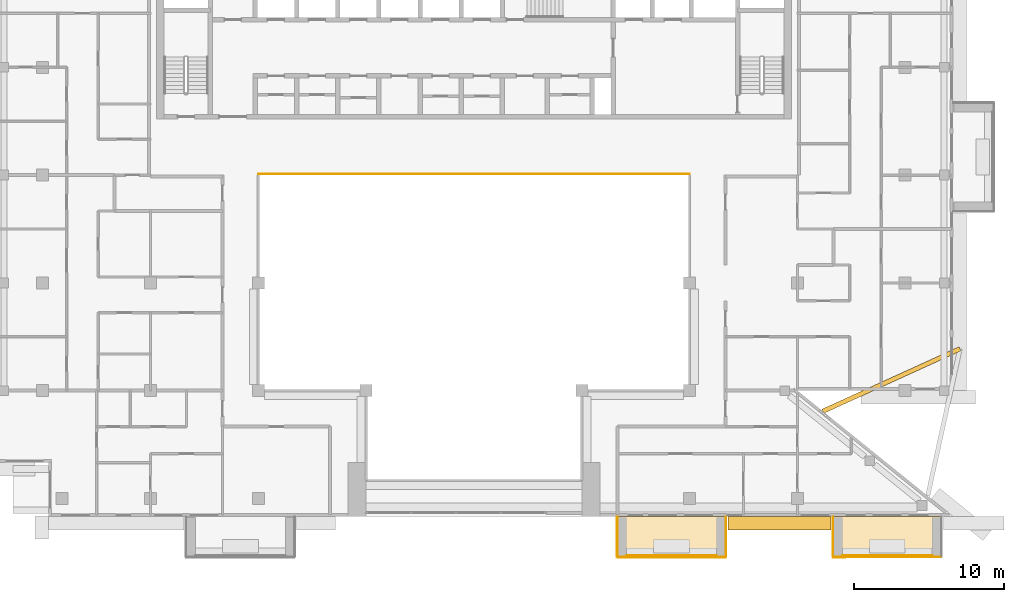
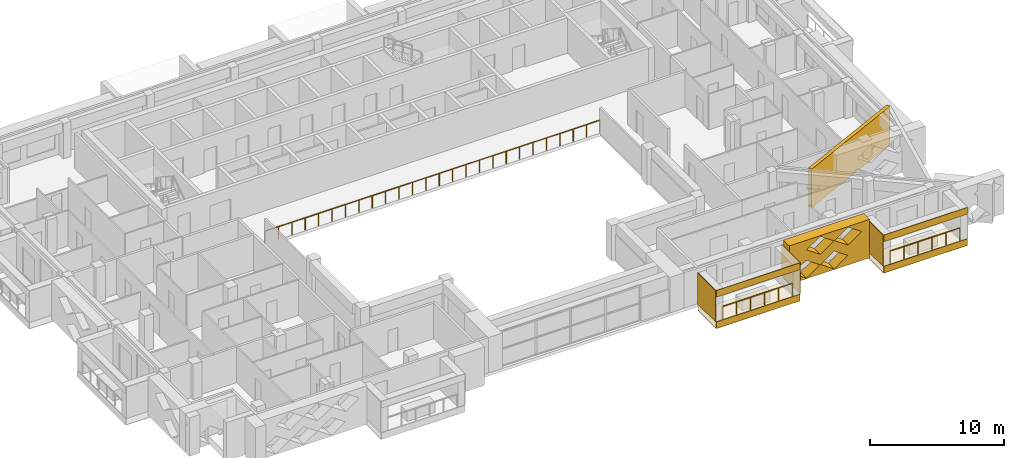
# One storey, part 15 of 19: 11 coverings, 3 railings.
"""IFC4 building model written with IfcOpenShell, lengths in metres."""

from ifc_helpers import new_model, si_unit, direction, frame, origin, origin_2d, place, context, subcontext, project, spatial, polyline, circle, outline, extrude, material, layer, layer_set, type_object, element, save


model = new_model("IFC4")

# Units and contexts
model_context = context("Model", 3, precision=1e-05, world=origin(), true_north=direction((0.0, 1.0)))
body_context = subcontext(model_context, "Body", "Model", "MODEL_VIEW")
ifc_project = project(units=[si_unit("LENGTHUNIT", "METRE"), si_unit("AREAUNIT", "SQUARE_METRE"), si_unit("VOLUMEUNIT", "CUBIC_METRE"), si_unit("PLANEANGLEUNIT", "RADIAN"), si_unit("MASSUNIT", "GRAM", prefix="KILO")], contexts=[model_context])

# Site, building, storey
site_placement = place(None, origin())
site = spatial("IfcSite", under=ifc_project, at=site_placement, CompositionType="ELEMENT")
building_placement = place(site_placement, origin())
building = spatial("IfcBuilding", under=site, at=building_placement, Name="Saffron Iwan Residences", CompositionType="ELEMENT")
storey_placement = place(building_placement, frame((0.0, 0.0, 246.5)))
storey = spatial("IfcBuildingStorey", under=building, at=storey_placement, Name="L66", CompositionType="ELEMENT", Elevation=246.5)

# Railings
ifc_material_1 = material(Name="Stainless steel 316", Category="steel")
railing_type_1 = type_object("IfcRailingType", Name="Atrium guard 1150", PredefinedType="GUARDRAIL", material=ifc_material_1)
railing_placement = place(storey_placement, frame((36.0, 62.47509765625, 0.0)))
element("IfcRailing", 1, at=railing_placement, inside=storey, type_object=railing_type_1, Name="Atrium guard L66", PredefinedType="GUARDRAIL", context=body_context, shape_type="SweptSolid", body=[
    extrude(circle(Radius=0.02392578125, at=origin_2d()), frame((0.0, 0.0, 1.1259765625), z_axis=(1.0, 0.0, 0.0), x_axis=(0.0, 1.0, 0.0)), (0.0, 0.0, 1.0), 28.800048828125),
    extrude(circle(Radius=0.02099609375, at=origin_2d()), origin(), (0.0, 0.0, 1.0), 1.101806640625),
    extrude(circle(Radius=0.02099609375, at=origin_2d()), frame((1.152099609375, 0.0, 0.0)), (0.0, 0.0, 1.0), 1.101806640625),
    extrude(circle(Radius=0.02099609375, at=origin_2d()), frame((2.303955078125, 0.0, 0.0)), (0.0, 0.0, 1.0), 1.101806640625),
    extrude(circle(Radius=0.02099609375, at=origin_2d()), frame((3.4560546875, 0.0, 0.0)), (0.0, 0.0, 1.0), 1.101806640625),
    extrude(circle(Radius=0.02099609375, at=origin_2d()), frame((4.60791015625, 0.0, 0.0)), (0.0, 0.0, 1.0), 1.101806640625),
    extrude(circle(Radius=0.02099609375, at=origin_2d()), frame((5.760009765625, 0.0, 0.0)), (0.0, 0.0, 1.0), 1.101806640625),
    extrude(circle(Radius=0.02099609375, at=origin_2d()), frame((6.912109375, 0.0, 0.0)), (0.0, 0.0, 1.0), 1.101806640625),
    extrude(circle(Radius=0.02099609375, at=origin_2d()), frame((8.06396484375, 0.0, 0.0)), (0.0, 0.0, 1.0), 1.101806640625),
    extrude(circle(Radius=0.02099609375, at=origin_2d()), frame((9.216064453125, 0.0, 0.0)), (0.0, 0.0, 1.0), 1.101806640625),
    extrude(circle(Radius=0.02099609375, at=origin_2d()), frame((10.367919921875, 0.0, 0.0)), (0.0, 0.0, 1.0), 1.101806640625),
    extrude(circle(Radius=0.02099609375, at=origin_2d()), frame((11.52001953125, 0.0, 0.0)), (0.0, 0.0, 1.0), 1.101806640625),
    extrude(circle(Radius=0.02099609375, at=origin_2d()), frame((12.672119140625, 0.0, 0.0)), (0.0, 0.0, 1.0), 1.101806640625),
    extrude(circle(Radius=0.02099609375, at=origin_2d()), frame((13.823974609375, 0.0, 0.0)), (0.0, 0.0, 1.0), 1.101806640625),
    extrude(circle(Radius=0.02099609375, at=origin_2d()), frame((14.97607421875, 0.0, 0.0)), (0.0, 0.0, 1.0), 1.101806640625),
    extrude(circle(Radius=0.02099609375, at=origin_2d()), frame((16.1279296875, 0.0, 0.0)), (0.0, 0.0, 1.0), 1.101806640625),
    extrude(circle(Radius=0.02099609375, at=origin_2d()), frame((17.280029296875, 0.0, 0.0)), (0.0, 0.0, 1.0), 1.101806640625),
    extrude(circle(Radius=0.02099609375, at=origin_2d()), frame((18.43212890625, 0.0, 0.0)), (0.0, 0.0, 1.0), 1.101806640625),
    extrude(circle(Radius=0.02099609375, at=origin_2d()), frame((19.583984375, 0.0, 0.0)), (0.0, 0.0, 1.0), 1.101806640625),
    extrude(circle(Radius=0.02099609375, at=origin_2d()), frame((20.736083984375, 0.0, 0.0)), (0.0, 0.0, 1.0), 1.101806640625),
    extrude(circle(Radius=0.02099609375, at=origin_2d()), frame((21.887939453125, 0.0, 0.0)), (0.0, 0.0, 1.0), 1.101806640625),
    extrude(circle(Radius=0.02099609375, at=origin_2d()), frame((23.0400390625, 0.0, 0.0)), (0.0, 0.0, 1.0), 1.101806640625),
    extrude(circle(Radius=0.02099609375, at=origin_2d()), frame((24.192138671875, 0.0, 0.0)), (0.0, 0.0, 1.0), 1.101806640625),
    extrude(circle(Radius=0.02099609375, at=origin_2d()), frame((25.343994140625, 0.0, 0.0)), (0.0, 0.0, 1.0), 1.101806640625),
    extrude(circle(Radius=0.02099609375, at=origin_2d()), frame((26.49609375, 0.0, 0.0)), (0.0, 0.0, 1.0), 1.101806640625),
    extrude(circle(Radius=0.02099609375, at=origin_2d()), frame((27.64794921875, 0.0, 0.0)), (0.0, 0.0, 1.0), 1.101806640625),
    extrude(circle(Radius=0.02099609375, at=origin_2d()), frame((28.800048828125, 0.0, 0.0)), (0.0, 0.0, 1.0), 1.101806640625),
])
railing_type_2 = type_object("IfcRailingType", Name="BALCONY GUARD 1150", PredefinedType="GUARDRAIL", material=ifc_material_1)
for number, where, name in (
    (2, (60.60009765625, 36.97509765625, 0.0), "Balcony guard L66 11-1"),
    (3, (75.0, 36.97509765625, 0.0), "Balcony guard L66 11-2"),
):
    element("IfcRailing", number, at=place(storey_placement, frame(where)), inside=storey, type_object=railing_type_2, Name=name, PredefinedType="GUARDRAIL", context=body_context, shape_type="SweptSolid", body=[
        extrude(circle(Radius=0.02392578125, at=origin_2d()), frame((0.0, 0.0, 1.1259765625), z_axis=(1.0, 0.0, 0.0), x_axis=(0.0, 1.0, 0.0)), (0.0, 0.0, 1.0), 6.0),
        extrude(circle(Radius=0.02099609375, at=origin_2d()), origin(), (0.0, 0.0, 1.0), 1.101806640625),
        extrude(circle(Radius=0.02099609375, at=origin_2d()), frame((1.199951171875, 0.0, 0.0)), (0.0, 0.0, 1.0), 1.101806640625),
        extrude(circle(Radius=0.02099609375, at=origin_2d()), frame((2.39990234375, 0.0, 0.0)), (0.0, 0.0, 1.0), 1.101806640625),
        extrude(circle(Radius=0.02099609375, at=origin_2d()), frame((3.60009765625, 0.0, 0.0)), (0.0, 0.0, 1.0), 1.101806640625),
        extrude(circle(Radius=0.02099609375, at=origin_2d()), frame((4.800048828125, 0.0, 0.0)), (0.0, 0.0, 1.0), 1.101806640625),
        extrude(circle(Radius=0.02099609375, at=origin_2d()), frame((6.0, 0.0, 0.0)), (0.0, 0.0, 1.0), 1.101806640625),
    ])

# Coverings
ifc_material_2 = material(Name="Precast concrete C40/50 white painted", Category="concrete")
ifc_layer_1 = layer(ifc_material_2, 0.050048828125)
ifc_layer_set_1 = layer_set([ifc_layer_1], Name="Precast concrete C40/50 white painted")
covering_type_1 = type_object("IfcCoveringType", Name="FRAME SKIN PRECAST WHITE 50", PredefinedType="CLADDING", material=ifc_layer_set_1)
for number, where, name in (
    (4, (0.0, 0.0, -0.60009765625), "Frame skin slab edge L66 11-1"),
    (5, (0.0, 0.0, 2.25), "Frame skin fascia L66 11-1"),
):
    element("IfcCovering", number, at=place(storey_placement, frame(where)), inside=storey, type_object=covering_type_1, Name=name, PredefinedType="CLADDING", context=body_context, shape_type="SweptSolid", body=[
        extrude(outline(polyline([(60.0, 36.85009765625), (67.199951171875, 36.85009765625), (67.199951171875, 36.89990234375), (60.0, 36.89990234375), (60.0, 36.85009765625)])), origin(), (0.0, 0.0, 1.0), 0.60009765625),
    ])
covering_1_placement = place(storey_placement, frame((0.0, 0.0, -0.64990234375)))
element("IfcCovering", 6, at=covering_1_placement, inside=storey, type_object=covering_type_1, Name="Frame skin soffit L66 11-1", PredefinedType="CLADDING", context=body_context, shape_type="SweptSolid", body=[
    extrude(outline(polyline([(60.0, 36.89990234375), (67.199951171875, 36.89990234375), (67.199951171875, 39.60009765625), (60.0, 39.60009765625), (60.0, 36.89990234375)])), origin(), (0.0, 0.0, 1.0), 0.0498046875),
])
covering_2_placement = place(storey_placement, origin())
element("IfcCovering", 7, at=covering_2_placement, inside=storey, type_object=covering_type_1, Name="Frame skin fin L66 11-1a", PredefinedType="CLADDING", context=body_context, shape_type="SweptSolid", body=[
    extrude(outline(polyline([(59.949951171875, 36.89990234375), (60.0, 36.89990234375), (60.0, 39.60009765625), (59.949951171875, 39.60009765625), (59.949951171875, 36.89990234375)])), origin(), (0.0, 0.0, 1.0), 2.85009765625),
])
covering_3_placement = place(storey_placement, origin())
element("IfcCovering", 8, at=covering_3_placement, inside=storey, type_object=covering_type_1, Name="Frame skin fin L66 11-1b", PredefinedType="CLADDING", context=body_context, shape_type="SweptSolid", body=[
    extrude(outline(polyline([(67.199951171875, 36.89990234375), (67.25, 36.89990234375), (67.25, 39.60009765625), (67.199951171875, 39.60009765625), (67.199951171875, 36.89990234375)])), origin(), (0.0, 0.0, 1.0), 2.85009765625),
])
for number, where, name in (
    (9, (0.0, 0.0, -0.60009765625), "Frame skin slab edge L66 11-2"),
    (10, (0.0, 0.0, 2.25), "Frame skin fascia L66 11-2"),
):
    element("IfcCovering", number, at=place(storey_placement, frame(where)), inside=storey, type_object=covering_type_1, Name=name, PredefinedType="CLADDING", context=body_context, shape_type="SweptSolid", body=[
        extrude(outline(polyline([(74.39990234375, 36.85009765625), (81.60009765625, 36.85009765625), (81.60009765625, 36.89990234375), (74.39990234375, 36.89990234375), (74.39990234375, 36.85009765625)])), origin(), (0.0, 0.0, 1.0), 0.60009765625),
    ])
covering_4_placement = place(storey_placement, frame((0.0, 0.0, -0.64990234375)))
element("IfcCovering", 11, at=covering_4_placement, inside=storey, type_object=covering_type_1, Name="Frame skin soffit L66 11-2", PredefinedType="CLADDING", context=body_context, shape_type="SweptSolid", body=[
    extrude(outline(polyline([(74.39990234375, 36.89990234375), (81.60009765625, 36.89990234375), (81.60009765625, 39.60009765625), (74.39990234375, 39.60009765625), (74.39990234375, 36.89990234375)])), origin(), (0.0, 0.0, 1.0), 0.0498046875),
])
covering_5_placement = place(storey_placement, origin())
element("IfcCovering", 12, at=covering_5_placement, inside=storey, type_object=covering_type_1, Name="Frame skin fin L66 11-2a", PredefinedType="CLADDING", context=body_context, shape_type="SweptSolid", body=[
    extrude(outline(polyline([(74.35009765625, 36.89990234375), (74.39990234375, 36.89990234375), (74.39990234375, 39.60009765625), (74.35009765625, 39.60009765625), (74.35009765625, 36.89990234375)])), origin(), (0.0, 0.0, 1.0), 2.85009765625),
])
ifc_material_3 = material(Name="Precast concrete C40/50", Category="concrete")
covering_type_2 = type_object("IfcCoveringType", Name="OUTER SKIN LATTICE SCREEN", PredefinedType="CLADDING", material=ifc_material_3)
covering_6_placement = place(storey_placement, frame((67.35009765625, 39.60009765625, -0.280029296875), z_axis=(0.0, -1.0, 0.0), x_axis=(1.0, 0.0, 0.0)))
element("IfcCovering", 13, at=covering_6_placement, inside=storey, type_object=covering_type_2, Name="OUTER SKIN lattice screen L66 F11.2", PredefinedType="CLADDING", context=body_context, shape_type="SweptSolid", body=[
    extrude(outline(polyline([(0.0, 0.0), (6.89990234375, 0.0), (6.89990234375, 3.5), (0.0, 3.5), (0.0, 0.0)]), holes=[polyline([(0.27001953125, 0.875), (1.449951171875, 0.06005859375), (2.6298828125, 0.875), (1.449951171875, 1.68994140625), (0.27001953125, 0.875)]), polyline([(2.669921875, 0.875), (3.85009765625, 0.06005859375), (5.030029296875, 0.875), (3.85009765625, 1.68994140625), (2.669921875, 0.875)]), polyline([(1.469970703125, 2.625), (2.64990234375, 1.81005859375), (3.830078125, 2.625), (2.64990234375, 3.43994140625), (1.469970703125, 2.625)]), polyline([(3.8701171875, 2.625), (5.050048828125, 1.81005859375), (6.22998046875, 2.625), (5.050048828125, 3.43994140625), (3.8701171875, 2.625)])]), origin(), (0.0, 0.0, 1.0), 0.900146484375),
])
ifc_layer_2 = layer(ifc_material_2, 0.300048828125)
ifc_layer_set_2 = layer_set([ifc_layer_2], Name="Precast concrete C40/50 white painted")
covering_type_3 = type_object("IfcCoveringType", Name="PROW NOSE BLADE PRECAST WHITE", PredefinedType="CLADDING", material=ifc_layer_set_2)
covering_7_placement = place(storey_placement, frame((0.0, 0.0, -0.280029296875)))
element("IfcCovering", 14, at=covering_7_placement, inside=storey, type_object=covering_type_3, Name="Prow nose blade L66 b", PredefinedType="CLADDING", context=body_context, shape_type="SweptSolid", body=[
    extrude(outline(polyline([(73.761474609375, 46.490966796875), (82.917236328125, 50.6650390625), (82.792724609375, 50.93798828125), (73.636962890625, 46.763916015625), (73.761474609375, 46.490966796875)])), origin(), (0.0, 0.0, 1.0), 3.5),
])

save(model, "model.ifc")
